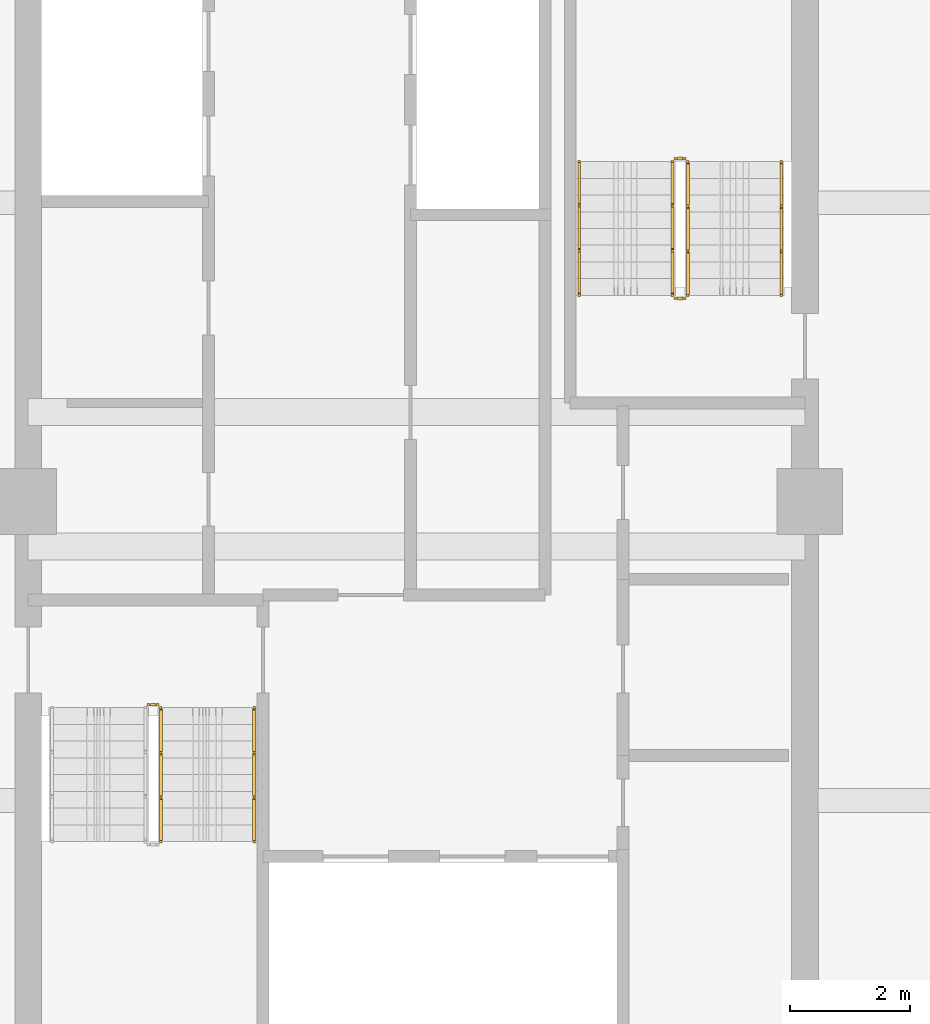
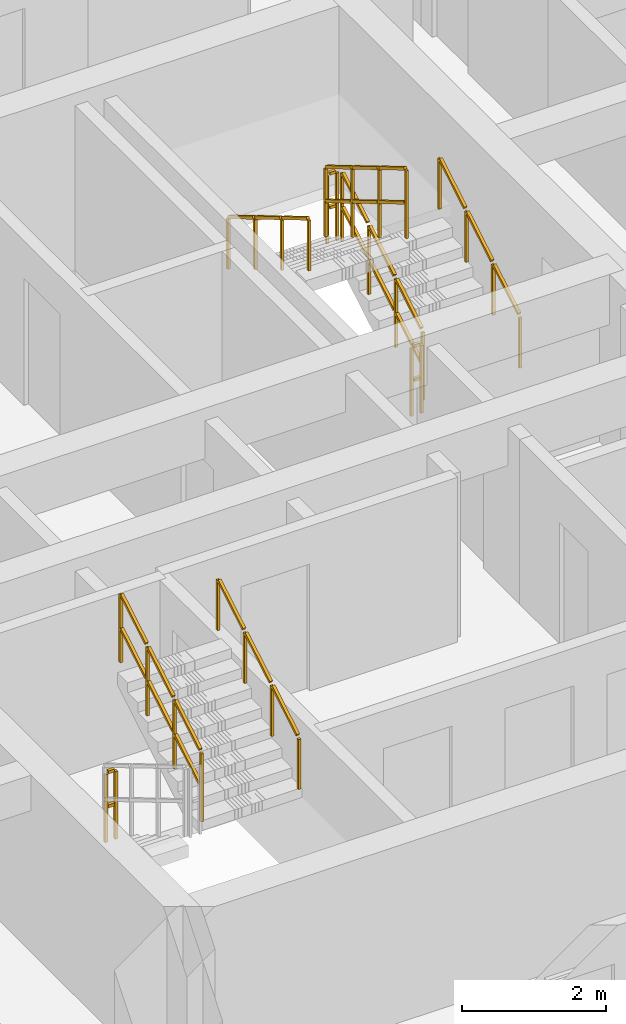
# One storey, part 20 of 22: 9 railings.
"""IFC4 building model written with IfcOpenShell, lengths in metres."""

from ifc_helpers import new_model, si_unit, direction, frame, origin, origin_2d, place, context, subcontext, project, spatial, rectangle, extrude, material, type_object, element, save


model = new_model("IFC4")

# Units and contexts
model_context = context("Model", 3, precision=1e-05, world=origin(), true_north=direction((0.0, 1.0)))
body_context = subcontext(model_context, "Body", "Model", "MODEL_VIEW")
ifc_project = project(units=[si_unit("LENGTHUNIT", "METRE"), si_unit("AREAUNIT", "SQUARE_METRE"), si_unit("VOLUMEUNIT", "CUBIC_METRE"), si_unit("PLANEANGLEUNIT", "RADIAN"), si_unit("MASSUNIT", "GRAM", prefix="KILO")], contexts=[model_context])

# Site, building, storey
site_placement = place(None, origin())
site = spatial("IfcSite", under=ifc_project, at=site_placement, CompositionType="ELEMENT")
building_placement = place(site_placement, origin())
building = spatial("IfcBuilding", under=site, at=building_placement, Name="Saelheon Loggia Tower", CompositionType="ELEMENT")
storey_placement = place(building_placement, frame((0.0, 0.0, 196.60009765625)))
storey = spatial("IfcBuildingStorey", under=building, at=storey_placement, Name="L61", CompositionType="ELEMENT", Elevation=196.60009765625)

# Railings
ifc_material_1 = material(Name="Galvanised Steel S275 Stairwell Guardrail", Category="steel")
railing_type_1 = type_object("IfcRailingType", Name="Guard_StairWell_RL_STG", PredefinedType="GUARDRAIL", material=ifc_material_1)
railing_1_placement = place(storey_placement, frame((33.719970703125, 21.31005859375, 1.66650390625)))
element("IfcRailing", 1, at=railing_1_placement, inside=storey, type_object=railing_type_1, Name="L61 ST1 stair guard 3", PredefinedType="GUARDRAIL", context=body_context, shape_type="SweptSolid", body=[
    extrude(rectangle(XDim=0.048095703125, YDim=0.048095703125, at=origin_2d()), frame((0.0, 0.028564453125, 1.19287109375), z_axis=(0.0, 0.859264461869, 0.511531606619), x_axis=(-1.0, 0.0, 0.0)), (0.0, 0.0, 1.0), 0.802490234375),
    extrude(rectangle(XDim=0.048095703125, YDim=0.048095703125, at=origin_2d()), frame((0.0, 0.028564453125, 0.616943359375), z_axis=(0.0, 0.859264461869, 0.511531606619), x_axis=(-1.0, 0.0, 0.0)), (0.0, 0.0, 1.0), 0.802490234375),
    extrude(rectangle(XDim=0.048095703125, YDim=0.048095703125, at=origin_2d()), frame((0.0, 0.775146484375, 1.637451171875), z_axis=(0.0, 0.859264461869, 0.511531606619), x_axis=(-1.0, 0.0, 0.0)), (0.0, 0.0, 1.0), 0.802490234375),
    extrude(rectangle(XDim=0.048095703125, YDim=0.048095703125, at=origin_2d()), frame((0.0, 0.775146484375, 1.0615234375), z_axis=(0.0, 0.859264461869, 0.511531606619), x_axis=(-1.0, 0.0, 0.0)), (0.0, 0.0, 1.0), 0.802490234375),
    extrude(rectangle(XDim=0.048095703125, YDim=0.048095703125, at=origin_2d()), frame((0.0, 1.52197265625, 2.081787109375), z_axis=(0.0, 0.859264461869, 0.511531606619), x_axis=(-1.0, 0.0, 0.0)), (0.0, 0.0, 1.0), 0.802490234375),
    extrude(rectangle(XDim=0.048095703125, YDim=0.048095703125, at=origin_2d()), frame((0.0, 1.52197265625, 1.505859375), z_axis=(0.0, 0.859264461869, 0.511531606619), x_axis=(-1.0, 0.0, 0.0)), (0.0, 0.0, 1.0), 0.802490234375),
    extrude(rectangle(XDim=0.0419921875, YDim=0.0419921875, at=origin_2d()), origin(), (0.0, 0.0, 1.0), 1.14794921875),
    extrude(rectangle(XDim=0.0419921875, YDim=0.0419921875, at=origin_2d()), frame((0.0, 0.74658203125, 0.444580078125)), (0.0, 0.0, 1.0), 1.14794921875),
    extrude(rectangle(XDim=0.0419921875, YDim=0.0419921875, at=origin_2d()), frame((0.0, 1.493408203125, 0.888916015625)), (0.0, 0.0, 1.0), 1.14794921875),
    extrude(rectangle(XDim=0.0419921875, YDim=0.0419921875, at=origin_2d()), frame((0.0, 2.239990234375, 1.33349609375)), (0.0, 0.0, 1.0), 1.14794921875),
])
railing_2_placement = place(storey_placement, frame((33.510009765625, 23.60009765625, 0.0)))
element("IfcRailing", 2, at=railing_2_placement, inside=storey, type_object=railing_type_1, Name="L61 ST1 stair guard 4", PredefinedType="GUARDRAIL", context=body_context, shape_type="SweptSolid", body=[
    extrude(rectangle(XDim=0.048095703125, YDim=0.048095703125, at=origin_2d()), frame((0.033203125, 0.0, 1.17578125), z_axis=(1.0, 0.0, 0.0), x_axis=(0.0, 1.0, 0.0)), (0.0, 0.0, 1.0), 0.093505859375),
    extrude(rectangle(XDim=0.048095703125, YDim=0.048095703125, at=origin_2d()), frame((0.033203125, 0.0, 0.60009765625), z_axis=(1.0, 0.0, 0.0), x_axis=(0.0, 1.0, 0.0)), (0.0, 0.0, 1.0), 0.093505859375),
    extrude(rectangle(XDim=0.0419921875, YDim=0.0419921875, at=origin_2d()), origin(), (0.0, 0.0, 1.0), 1.14794921875),
    extrude(rectangle(XDim=0.0419921875, YDim=0.0419921875, at=origin_2d()), frame((0.159912109375, 0.0, 0.0)), (0.0, 0.0, 1.0), 1.14794921875),
])
railing_3_placement = place(storey_placement, frame((42.5400390625, 30.449951171875, 0.16650390625)))
element("IfcRailing", 3, at=railing_3_placement, inside=storey, type_object=railing_type_1, Name="L61 ST2 stair guard 1", PredefinedType="GUARDRAIL", context=body_context, shape_type="SweptSolid", body=[
    extrude(rectangle(XDim=0.048095703125, YDim=0.048095703125, at=origin_2d()), frame((0.0, 0.028564453125, 1.19287109375), z_axis=(0.0, 0.859264461869, 0.511531606619), x_axis=(-1.0, 0.0, 0.0)), (0.0, 0.0, 1.0), 0.802490234375),
    extrude(rectangle(XDim=0.048095703125, YDim=0.048095703125, at=origin_2d()), frame((0.0, 0.028564453125, 0.616943359375), z_axis=(0.0, 0.859264461869, 0.511531606619), x_axis=(-1.0, 0.0, 0.0)), (0.0, 0.0, 1.0), 0.802490234375),
    extrude(rectangle(XDim=0.048095703125, YDim=0.048095703125, at=origin_2d()), frame((0.0, 0.775146484375, 1.637451171875), z_axis=(0.0, 0.859264461869, 0.511531606619), x_axis=(-1.0, 0.0, 0.0)), (0.0, 0.0, 1.0), 0.802490234375),
    extrude(rectangle(XDim=0.048095703125, YDim=0.048095703125, at=origin_2d()), frame((0.0, 0.775146484375, 1.0615234375), z_axis=(0.0, 0.859264461869, 0.511531606619), x_axis=(-1.0, 0.0, 0.0)), (0.0, 0.0, 1.0), 0.802490234375),
    extrude(rectangle(XDim=0.048095703125, YDim=0.048095703125, at=origin_2d()), frame((0.0, 1.52197265625, 2.081787109375), z_axis=(0.0, 0.859264461869, 0.511531606619), x_axis=(-1.0, 0.0, 0.0)), (0.0, 0.0, 1.0), 0.802490234375),
    extrude(rectangle(XDim=0.048095703125, YDim=0.048095703125, at=origin_2d()), frame((0.0, 1.52197265625, 1.505859375), z_axis=(0.0, 0.859264461869, 0.511531606619), x_axis=(-1.0, 0.0, 0.0)), (0.0, 0.0, 1.0), 0.802490234375),
    extrude(rectangle(XDim=0.0419921875, YDim=0.0419921875, at=origin_2d()), origin(), (0.0, 0.0, 1.0), 1.14794921875),
    extrude(rectangle(XDim=0.0419921875, YDim=0.0419921875, at=origin_2d()), frame((0.0, 0.74658203125, 0.444580078125)), (0.0, 0.0, 1.0), 1.14794921875),
    extrude(rectangle(XDim=0.0419921875, YDim=0.0419921875, at=origin_2d()), frame((0.0, 1.493408203125, 0.888916015625)), (0.0, 0.0, 1.0), 1.14794921875),
    extrude(rectangle(XDim=0.0419921875, YDim=0.0419921875, at=origin_2d()), frame((0.0, 2.239990234375, 1.33349609375)), (0.0, 0.0, 1.0), 1.14794921875),
])
railing_4_placement = place(storey_placement, frame((42.489990234375, 32.739990234375, 1.5)))
element("IfcRailing", 4, at=railing_4_placement, inside=storey, type_object=railing_type_1, Name="L61 ST2 stair guard 2", PredefinedType="GUARDRAIL", context=body_context, shape_type="SweptSolid", body=[
    extrude(rectangle(XDim=0.048095703125, YDim=0.048095703125, at=origin_2d()), frame((-0.033203125, 0.0, 1.17578125), z_axis=(-1.0, 0.0, 0.0), x_axis=(0.0, -1.0, 0.0)), (0.0, 0.0, 1.0), 0.093505859375),
    extrude(rectangle(XDim=0.048095703125, YDim=0.048095703125, at=origin_2d()), frame((-0.033203125, 0.0, 0.60009765625), z_axis=(-1.0, 0.0, 0.0), x_axis=(0.0, -1.0, 0.0)), (0.0, 0.0, 1.0), 0.093505859375),
    extrude(rectangle(XDim=0.0419921875, YDim=0.0419921875, at=origin_2d()), origin(), (0.0, 0.0, 1.0), 1.14794921875),
    extrude(rectangle(XDim=0.0419921875, YDim=0.0419921875, at=origin_2d()), frame((-0.159912109375, 0.0, 0.0)), (0.0, 0.0, 1.0), 1.14794921875),
])
railing_5_placement = place(storey_placement, frame((42.280029296875, 32.68994140625, 1.66650390625)))
element("IfcRailing", 5, at=railing_5_placement, inside=storey, type_object=railing_type_1, Name="L61 ST2 stair guard 3", PredefinedType="GUARDRAIL", context=body_context, shape_type="SweptSolid", body=[
    extrude(rectangle(XDim=0.048095703125, YDim=0.048095703125, at=origin_2d()), frame((0.0, -0.028564453125, 1.19287109375), z_axis=(0.0, -0.859264461869, 0.511531606619), x_axis=(1.0, 0.0, 0.0)), (0.0, 0.0, 1.0), 0.802490234375),
    extrude(rectangle(XDim=0.048095703125, YDim=0.048095703125, at=origin_2d()), frame((0.0, -0.028564453125, 0.616943359375), z_axis=(0.0, -0.859264461869, 0.511531606619), x_axis=(1.0, 0.0, 0.0)), (0.0, 0.0, 1.0), 0.802490234375),
    extrude(rectangle(XDim=0.048095703125, YDim=0.048095703125, at=origin_2d()), frame((0.0, -0.775146484375, 1.637451171875), z_axis=(0.0, -0.859264461869, 0.511531606619), x_axis=(1.0, 0.0, 0.0)), (0.0, 0.0, 1.0), 0.802490234375),
    extrude(rectangle(XDim=0.048095703125, YDim=0.048095703125, at=origin_2d()), frame((0.0, -0.775146484375, 1.0615234375), z_axis=(0.0, -0.859264461869, 0.511531606619), x_axis=(1.0, 0.0, 0.0)), (0.0, 0.0, 1.0), 0.802490234375),
    extrude(rectangle(XDim=0.048095703125, YDim=0.048095703125, at=origin_2d()), frame((0.0, -1.52197265625, 2.081787109375), z_axis=(0.0, -0.859264461869, 0.511531606619), x_axis=(1.0, 0.0, 0.0)), (0.0, 0.0, 1.0), 0.802490234375),
    extrude(rectangle(XDim=0.048095703125, YDim=0.048095703125, at=origin_2d()), frame((0.0, -1.52197265625, 1.505859375), z_axis=(0.0, -0.859264461869, 0.511531606619), x_axis=(1.0, 0.0, 0.0)), (0.0, 0.0, 1.0), 0.802490234375),
    extrude(rectangle(XDim=0.0419921875, YDim=0.0419921875, at=origin_2d()), origin(), (0.0, 0.0, 1.0), 1.14794921875),
    extrude(rectangle(XDim=0.0419921875, YDim=0.0419921875, at=origin_2d()), frame((0.0, -0.74658203125, 0.444580078125)), (0.0, 0.0, 1.0), 1.14794921875),
    extrude(rectangle(XDim=0.0419921875, YDim=0.0419921875, at=origin_2d()), frame((0.0, -1.493408203125, 0.888916015625)), (0.0, 0.0, 1.0), 1.14794921875),
    extrude(rectangle(XDim=0.0419921875, YDim=0.0419921875, at=origin_2d()), frame((0.0, -2.239990234375, 1.33349609375)), (0.0, 0.0, 1.0), 1.14794921875),
])
railing_6_placement = place(storey_placement, frame((42.489990234375, 30.39990234375, 0.0)))
element("IfcRailing", 6, at=railing_6_placement, inside=storey, type_object=railing_type_1, Name="L61 ST2 stair guard 4", PredefinedType="GUARDRAIL", context=body_context, shape_type="SweptSolid", body=[
    extrude(rectangle(XDim=0.048095703125, YDim=0.048095703125, at=origin_2d()), frame((-0.033203125, 0.0, 1.17578125), z_axis=(-1.0, 0.0, 0.0), x_axis=(0.0, -1.0, 0.0)), (0.0, 0.0, 1.0), 0.093505859375),
    extrude(rectangle(XDim=0.048095703125, YDim=0.048095703125, at=origin_2d()), frame((-0.033203125, 0.0, 0.60009765625), z_axis=(-1.0, 0.0, 0.0), x_axis=(0.0, -1.0, 0.0)), (0.0, 0.0, 1.0), 0.093505859375),
    extrude(rectangle(XDim=0.0419921875, YDim=0.0419921875, at=origin_2d()), origin(), (0.0, 0.0, 1.0), 1.14794921875),
    extrude(rectangle(XDim=0.0419921875, YDim=0.0419921875, at=origin_2d()), frame((-0.159912109375, 0.0, 0.0)), (0.0, 0.0, 1.0), 1.14794921875),
])
ifc_material_2 = material(Name="Stainless Steel 304 Tubular Handrail", Category="steel")
railing_type_2 = type_object("IfcRailingType", Name="Handrail_Stair_RL_HR1", PredefinedType="HANDRAIL", material=ifc_material_2)
for number, where, name in (
    (7, (35.280029296875, 21.31005859375, 1.66650390625), "L61 ST1 stair handrail 2"),
    (8, (44.10009765625, 30.449951171875, 0.16650390625), "L61 ST2 stair handrail 1"),
):
    element("IfcRailing", number, at=place(storey_placement, frame(where)), inside=storey, type_object=railing_type_2, Name=name, PredefinedType="HANDRAIL", context=body_context, shape_type="SweptSolid", body=[
        extrude(rectangle(XDim=0.048095703125, YDim=0.048095703125, at=origin_2d()), frame((0.0, 0.028564453125, 0.892822265625), z_axis=(0.0, 0.859264461869, 0.511531606619), x_axis=(-1.0, 0.0, 0.0)), (0.0, 0.0, 1.0), 0.802490234375),
        extrude(rectangle(XDim=0.048095703125, YDim=0.048095703125, at=origin_2d()), frame((0.0, 0.775146484375, 1.33740234375), z_axis=(0.0, 0.859264461869, 0.511531606619), x_axis=(-1.0, 0.0, 0.0)), (0.0, 0.0, 1.0), 0.802490234375),
        extrude(rectangle(XDim=0.048095703125, YDim=0.048095703125, at=origin_2d()), frame((0.0, 1.52197265625, 1.78173828125), z_axis=(0.0, 0.859264461869, 0.511531606619), x_axis=(-1.0, 0.0, 0.0)), (0.0, 0.0, 1.0), 0.802490234375),
        extrude(rectangle(XDim=0.0419921875, YDim=0.0419921875, at=origin_2d()), origin(), (0.0, 0.0, 1.0), 0.847900390625),
        extrude(rectangle(XDim=0.0419921875, YDim=0.0419921875, at=origin_2d()), frame((0.0, 0.74658203125, 0.444580078125)), (0.0, 0.0, 1.0), 0.847900390625),
        extrude(rectangle(XDim=0.0419921875, YDim=0.0419921875, at=origin_2d()), frame((0.0, 1.493408203125, 0.888916015625)), (0.0, 0.0, 1.0), 0.847900390625),
        extrude(rectangle(XDim=0.0419921875, YDim=0.0419921875, at=origin_2d()), frame((0.0, 2.239990234375, 1.33349609375)), (0.0, 0.0, 1.0), 0.847900390625),
    ])
railing_7_placement = place(storey_placement, frame((40.719970703125, 32.68994140625, 1.66650390625)))
element("IfcRailing", 9, at=railing_7_placement, inside=storey, type_object=railing_type_2, Name="L61 ST2 stair handrail 2", PredefinedType="HANDRAIL", context=body_context, shape_type="SweptSolid", body=[
    extrude(rectangle(XDim=0.048095703125, YDim=0.048095703125, at=origin_2d()), frame((0.0, -0.028564453125, 0.892822265625), z_axis=(0.0, -0.859264461869, 0.511531606619), x_axis=(1.0, 0.0, 0.0)), (0.0, 0.0, 1.0), 0.802490234375),
    extrude(rectangle(XDim=0.048095703125, YDim=0.048095703125, at=origin_2d()), frame((0.0, -0.775146484375, 1.33740234375), z_axis=(0.0, -0.859264461869, 0.511531606619), x_axis=(1.0, 0.0, 0.0)), (0.0, 0.0, 1.0), 0.802490234375),
    extrude(rectangle(XDim=0.048095703125, YDim=0.048095703125, at=origin_2d()), frame((0.0, -1.52197265625, 1.78173828125), z_axis=(0.0, -0.859264461869, 0.511531606619), x_axis=(1.0, 0.0, 0.0)), (0.0, 0.0, 1.0), 0.802490234375),
    extrude(rectangle(XDim=0.0419921875, YDim=0.0419921875, at=origin_2d()), origin(), (0.0, 0.0, 1.0), 0.847900390625),
    extrude(rectangle(XDim=0.0419921875, YDim=0.0419921875, at=origin_2d()), frame((0.0, -0.74658203125, 0.444580078125)), (0.0, 0.0, 1.0), 0.847900390625),
    extrude(rectangle(XDim=0.0419921875, YDim=0.0419921875, at=origin_2d()), frame((0.0, -1.493408203125, 0.888916015625)), (0.0, 0.0, 1.0), 0.847900390625),
    extrude(rectangle(XDim=0.0419921875, YDim=0.0419921875, at=origin_2d()), frame((0.0, -2.239990234375, 1.33349609375)), (0.0, 0.0, 1.0), 0.847900390625),
])

save(model, "model.ifc")
